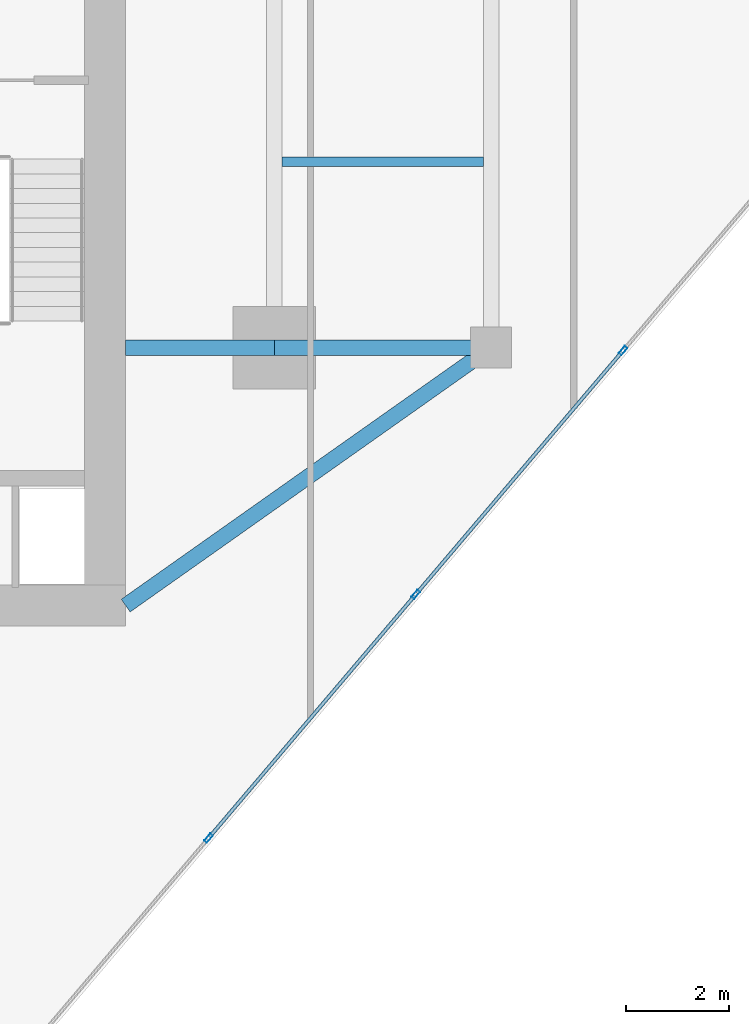
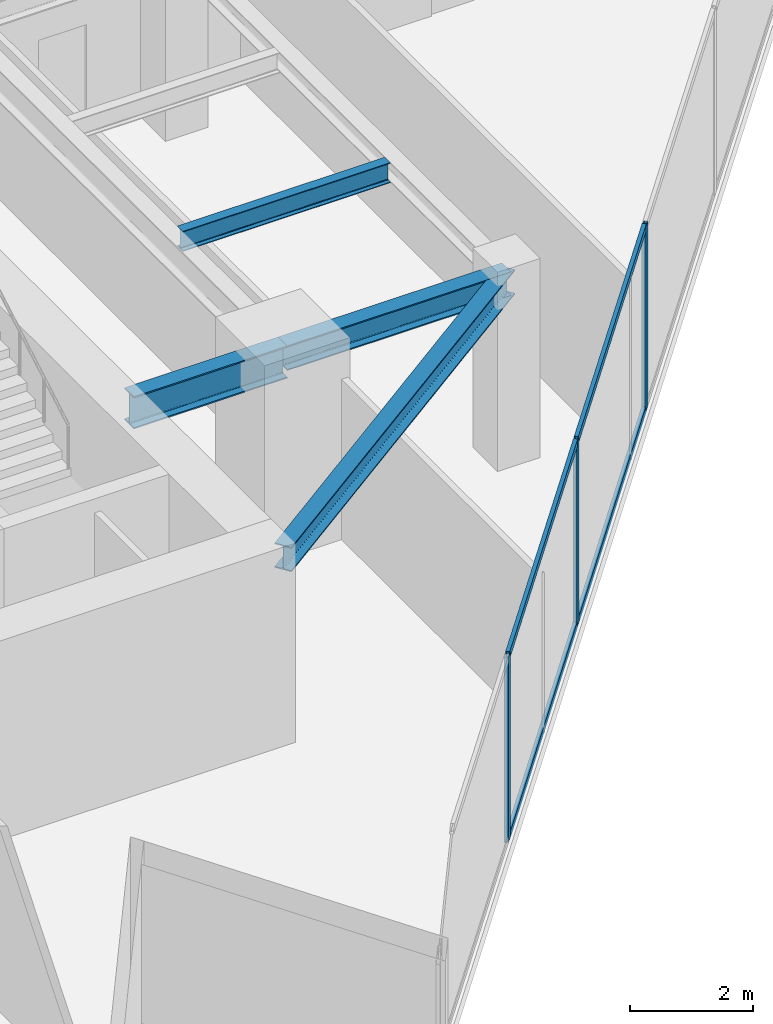
# One storey, part 10 of 25: 7 members, 4 beams, 1 element without a shape of its own.
"""IFC4 building model written with IfcOpenShell, lengths in metres."""

from ifc_helpers import new_model, si_unit, direction, frame, origin, origin_2d, place, context, subcontext, project, spatial, hollow_rectangle, i_section, extrude, source, transform, mapped, material, material_profile, profile_set, type_object, type_shapes, element, aggregate, save


model = new_model("IFC4")

# Units and contexts
model_context = context("Model", 3, precision=1e-05, world=origin(), true_north=direction((0.0, 1.0)))
body_context = subcontext(model_context, "Body", "Model", "MODEL_VIEW")
ifc_project = project(units=[si_unit("LENGTHUNIT", "METRE"), si_unit("AREAUNIT", "SQUARE_METRE"), si_unit("VOLUMEUNIT", "CUBIC_METRE"), si_unit("PLANEANGLEUNIT", "RADIAN"), si_unit("MASSUNIT", "GRAM", prefix="KILO")], contexts=[model_context])

# Site, building, storey
site_placement = place(None, origin())
site = spatial("IfcSite", under=ifc_project, at=site_placement, CompositionType="ELEMENT")
building_placement = place(site_placement, origin())
building = spatial("IfcBuilding", under=site, at=building_placement, Name="Krantzveldt Concourse Tower", CompositionType="ELEMENT")
storey_placement = place(building_placement, frame((0.0, 0.0, 211.25)))
storey = spatial("IfcBuildingStorey", under=building, at=storey_placement, Name="L51", CompositionType="ELEMENT", Elevation=211.25)

# Beams
ifc_material_1 = material(Name="Steel S355JR", Category="steel")
ifc_material_profile_1 = material_profile(ifc_material_1, i_section(OverallWidth=0.300048828125, OverallDepth=0.639892578125, WebThickness=0.013427734375, FlangeThickness=0.02587890625, FilletRadius=0.027099609375, at=origin_2d()), Name="Steel S355JR", Category="steel")
ifc_profile_set_1 = profile_set([ifc_material_profile_1], Name="Steel S355JR - HEA 650")
beam_type_1 = type_object("IfcBeamType", Name="BM-B-HEA650", PredefinedType="BEAM", material=ifc_profile_set_1)
shared_shape_1 = source(origin(), body_context, "Body", "SweptSolid", [
    extrude(i_section(OverallWidth=0.300048828125, OverallDepth=0.639892578125, WebThickness=0.013427734375, FlangeThickness=0.02587890625, FilletRadius=0.027099609375, at=origin_2d()), origin(), (0.0, 0.0, 1.0), 2.880126953125),
])
type_shapes(beam_type_1, [shared_shape_1])
beam_1_placement = place(storey_placement, frame((43.919921875, 15.89990234375, 3.35009765625), z_axis=(1.0, 0.0, 0.0), x_axis=(0.0, 1.0, 0.0)))
element("IfcBeam", 1, at=beam_1_placement, inside=storey, type_object=beam_type_1, Name="L51 Tower Girder BG-CE1", PredefinedType="BEAM", context=body_context, shape_type="MappedRepresentation", body=[
    mapped(shared_shape_1, transform((0.0, 0.0, 0.0), x_axis=(1.0, 0.0, 0.0), y_axis=(0.0, 1.0, 0.0), z_axis=(0.0, 0.0, 1.0), scale=1.0)),
])
ifc_material_profile_2 = material_profile(ifc_material_1, i_section(OverallWidth=0.300048828125, OverallDepth=0.489990234375, WebThickness=0.011962890625, FlangeThickness=0.02294921875, FilletRadius=0.027099609375, at=origin_2d()), Name="Steel S355JR", Category="steel")
ifc_profile_set_2 = profile_set([ifc_material_profile_2], Name="Steel S355JR - HEA 500")
beam_type_2 = type_object("IfcBeamType", Name="BM-B-HEA500", PredefinedType="BEAM", material=ifc_profile_set_2)
shared_shape_2 = source(origin(), body_context, "Body", "SweptSolid", [
    extrude(i_section(OverallWidth=0.300048828125, OverallDepth=0.489990234375, WebThickness=0.011962890625, FlangeThickness=0.02294921875, FilletRadius=0.027099609375, at=origin_2d()), origin(), (0.0, 0.0, 1.0), 4.199951171875),
])
beam_2_placement = place(storey_placement, frame((46.800048828125, 15.89990234375, 3.425048828125), z_axis=(1.0, 0.0, 0.0), x_axis=(0.0, 1.0, 0.0)))
element("IfcBeam", 2, at=beam_2_placement, inside=storey, type_object=beam_type_2, Name="L51 Tower Girder BR-RR1", PredefinedType="BEAM", context=body_context, shape_type="MappedRepresentation", body=[
    mapped(shared_shape_2, transform((0.0, 0.0, 0.0), x_axis=(1.0, 0.0, 0.0), y_axis=(0.0, 1.0, 0.0), z_axis=(0.0, 0.0, 1.0), scale=1.0)),
])
shared_shape_3 = source(origin(), body_context, "Body", "SweptSolid", [
    extrude(i_section(OverallWidth=0.300048828125, OverallDepth=0.489990234375, WebThickness=0.011962890625, FlangeThickness=0.02294921875, FilletRadius=0.027099609375, at=origin_2d()), origin(), (0.0, 0.0, 1.0), 8.667724609375),
])
type_shapes(beam_type_2, [shared_shape_2, shared_shape_3])
beam_3_placement = place(storey_placement, frame((51.0, 15.89990234375, 3.425048828125), z_axis=(-0.81684294656, -0.576860122261, 0.0), x_axis=(0.576860122261, -0.81684294656, 0.0)))
element("IfcBeam", 3, at=beam_3_placement, inside=storey, type_object=beam_type_2, Name="L51 Tower Girder BR-CSE", PredefinedType="BEAM", context=body_context, shape_type="MappedRepresentation", body=[
    mapped(shared_shape_3, transform((0.0, 0.0, 0.0), x_axis=(1.0, 0.0, 0.0), y_axis=(0.0, 1.0, 0.0), z_axis=(0.0, 0.0, 1.0), scale=1.0)),
])
ifc_material_profile_3 = material_profile(ifc_material_1, i_section(OverallWidth=0.179931640625, OverallDepth=0.39990234375, WebThickness=0.008544921875, FlangeThickness=0.013427734375, FilletRadius=0.02099609375, at=origin_2d()), Name="Steel S355JR", Category="steel")
ifc_profile_set_3 = profile_set([ifc_material_profile_3], Name="Steel S355JR - IPE 400")
beam_type_3 = type_object("IfcBeamType", Name="BM-J-IPE400", PredefinedType="JOIST", material=ifc_profile_set_3)
shared_shape_4 = source(origin(), body_context, "Body", "SweptSolid", [
    extrude(i_section(OverallWidth=0.179931640625, OverallDepth=0.39990234375, WebThickness=0.008544921875, FlangeThickness=0.013427734375, FilletRadius=0.02099609375, at=origin_2d()), origin(), (0.0, 0.0, 1.0), 3.900146484375),
])
type_shapes(beam_type_3, [shared_shape_4])
beam_4_placement = place(storey_placement, frame((46.949951171875, 19.5, 3.469970703125), z_axis=(1.0, 0.0, 0.0), x_axis=(0.0, 1.0, 0.0)))
element("IfcBeam", 4, at=beam_4_placement, inside=storey, type_object=beam_type_3, Name="L51 Secondary Floor Joist JE-1", PredefinedType="JOIST", context=body_context, shape_type="MappedRepresentation", body=[
    mapped(shared_shape_4, transform((0.0, 0.0, 0.0), x_axis=(1.0, 0.0, 0.0), y_axis=(0.0, 1.0, 0.0), z_axis=(0.0, 0.0, 1.0), scale=1.0)),
])

# Curtain wall, members
ifc_material_2 = material(Name="Anodised aluminium 6063-T6", Category="aluminium")
curtain_wall_type = type_object("IfcCurtainWallType", Name="CW3", PredefinedType="USERDEFINED", material=ifc_material_2)
curtain_wall_placement = place(storey_placement, origin())
curtain_wall = element("IfcCurtainWall", 5, at=curtain_wall_placement, inside=storey, type_object=curtain_wall_type, Name="CW-L51-F07", ObjectType="UNITISED CURTAIN WALL", PredefinedType="USERDEFINED")
ifc_material_profile_4 = material_profile(ifc_material_2, hollow_rectangle(XDim=0.070068359375, YDim=0.179931640625, WallThickness=0.0048828125, at=origin_2d()), Name="Anodised aluminium 6063-T6", Category="aluminium")
ifc_profile_set_4 = profile_set([ifc_material_profile_4], Name="Anodised aluminium 6063-T6 - ALU-MULL 180x70x5")
member_type_1 = type_object("IfcMemberType", Name="CW-MUL-180", PredefinedType="MULLION", material=ifc_profile_set_4)
shared_shape_5 = source(origin(), body_context, "Body", "SweptSolid", [
    extrude(hollow_rectangle(XDim=0.070068359375, YDim=0.179931640625, WallThickness=0.0048828125, at=origin_2d()), origin(), (0.0, 0.0, 1.0), 3.669921875),
])
type_shapes(member_type_1, [shared_shape_5])
member_1_placement = place(storey_placement, frame((45.5244140625, 6.393798828125, 0.0), z_axis=(0.0, 0.0, 1.0), x_axis=(-0.761820912327, 0.647787694805, 0.0)))
member_1 = element("IfcMember", 6, at=member_1_placement, type_object=member_type_1, Name="CW-Z34 mullion 2", PredefinedType="MULLION", context=body_context, shape_type="MappedRepresentation", body=[
    mapped(shared_shape_5, transform((0.0, 0.0, 0.0), x_axis=(1.0, 0.0, 0.0), y_axis=(0.0, 1.0, 0.0), z_axis=(0.0, 0.0, 1.0), scale=1.0)),
])
member_2_placement = place(storey_placement, frame((49.54052734375, 11.116943359375, 0.0), z_axis=(0.0, 0.0, 1.0), x_axis=(-0.761820912327, 0.647787694805, 0.0)))
member_2 = element("IfcMember", 7, at=member_2_placement, type_object=member_type_1, Name="CW-Z34 mullion 3", PredefinedType="MULLION", context=body_context, shape_type="MappedRepresentation", body=[
    mapped(shared_shape_5, transform((0.0, 0.0, 0.0), x_axis=(1.0, 0.0, 0.0), y_axis=(0.0, 1.0, 0.0), z_axis=(0.0, 0.0, 1.0), scale=1.0)),
])
member_3_placement = place(storey_placement, frame((53.556884765625, 15.84033203125, 0.0), z_axis=(0.0, 0.0, 1.0), x_axis=(-0.761820912327, 0.647787694805, 0.0)))
member_3 = element("IfcMember", 8, at=member_3_placement, type_object=member_type_1, Name="CW-Z34 mullion 4", PredefinedType="MULLION", context=body_context, shape_type="MappedRepresentation", body=[
    mapped(shared_shape_5, transform((0.0, 0.0, 0.0), x_axis=(1.0, 0.0, 0.0), y_axis=(0.0, 1.0, 0.0), z_axis=(0.0, 0.0, 1.0), scale=1.0)),
])
ifc_material_profile_5 = material_profile(ifc_material_2, hollow_rectangle(XDim=0.070068359375, YDim=0.139892578125, WallThickness=0.0048828125, at=origin_2d()), Name="Anodised aluminium 6063-T6", Category="aluminium")
ifc_profile_set_5 = profile_set([ifc_material_profile_5], Name="Anodised aluminium 6063-T6 - ALU-TRAN 140x70x5")
member_type_2 = type_object("IfcMemberType", Name="CW-TRN-150", PredefinedType="USERDEFINED", material=ifc_profile_set_5)
shared_shape_6 = source(origin(), body_context, "Body", "SweptSolid", [
    extrude(hollow_rectangle(XDim=0.070068359375, YDim=0.139892578125, WallThickness=0.0048828125, at=origin_2d()), origin(), (0.0, 0.0, 1.0), 6.130126953125),
])
member_4_placement = place(storey_placement, frame((49.563232421875, 11.1435546875, 0.034912109375), z_axis=(0.647772109575, 0.761834164406, 0.0), x_axis=(-0.761834164406, 0.647772109575, 0.0)))
member_4 = element("IfcMember", 9, at=member_4_placement, type_object=member_type_2, Name="CW-Z34 transom 3.1", ObjectType="TRANSOM", PredefinedType="USERDEFINED", context=body_context, shape_type="MappedRepresentation", body=[
    mapped(shared_shape_6, transform((0.0, 0.0, 0.0), x_axis=(1.0, 0.0, 0.0), y_axis=(0.0, 1.0, 0.0), z_axis=(0.0, 0.0, 1.0), scale=1.0)),
])
member_5_placement = place(storey_placement, frame((49.563232421875, 11.1435546875, 3.635009765625), z_axis=(0.647772109575, 0.761834164406, 0.0), x_axis=(-0.761834164406, 0.647772109575, 0.0)))
member_5 = element("IfcMember", 10, at=member_5_placement, type_object=member_type_2, Name="CW-Z34 transom 3.2", ObjectType="TRANSOM", PredefinedType="USERDEFINED", context=body_context, shape_type="MappedRepresentation", body=[
    mapped(shared_shape_6, transform((0.0, 0.0, 0.0), x_axis=(1.0, 0.0, 0.0), y_axis=(0.0, 1.0, 0.0), z_axis=(0.0, 0.0, 1.0), scale=1.0)),
])
shared_shape_7 = source(origin(), body_context, "Body", "SweptSolid", [
    extrude(hollow_rectangle(XDim=0.070068359375, YDim=0.139892578125, WallThickness=0.0048828125, at=origin_2d()), origin(), (0.0, 0.0, 1.0), 6.1298828125),
])
type_shapes(member_type_2, [shared_shape_6, shared_shape_7])
member_6_placement = place(storey_placement, frame((45.547119140625, 6.42041015625, 0.034912109375), z_axis=(0.647791763952, 0.761817452252, 0.0), x_axis=(-0.761817452252, 0.647791763952, 0.0)))
member_6 = element("IfcMember", 11, at=member_6_placement, type_object=member_type_2, Name="CW-Z34 transom 2.1", ObjectType="TRANSOM", PredefinedType="USERDEFINED", context=body_context, shape_type="MappedRepresentation", body=[
    mapped(shared_shape_7, transform((0.0, 0.0, 0.0), x_axis=(1.0, 0.0, 0.0), y_axis=(0.0, 1.0, 0.0), z_axis=(0.0, 0.0, 1.0), scale=1.0)),
])
member_7_placement = place(storey_placement, frame((45.547119140625, 6.42041015625, 3.635009765625), z_axis=(0.647791763952, 0.761817452252, 0.0), x_axis=(-0.761817452252, 0.647791763952, 0.0)))
member_7 = element("IfcMember", 12, at=member_7_placement, type_object=member_type_2, Name="CW-Z34 transom 2.2", ObjectType="TRANSOM", PredefinedType="USERDEFINED", context=body_context, shape_type="MappedRepresentation", body=[
    mapped(shared_shape_7, transform((0.0, 0.0, 0.0), x_axis=(1.0, 0.0, 0.0), y_axis=(0.0, 1.0, 0.0), z_axis=(0.0, 0.0, 1.0), scale=1.0)),
])
aggregate(curtain_wall, [member_1, member_2, member_3, member_6, member_7, member_4, member_5])

save(model, "model.ifc")
